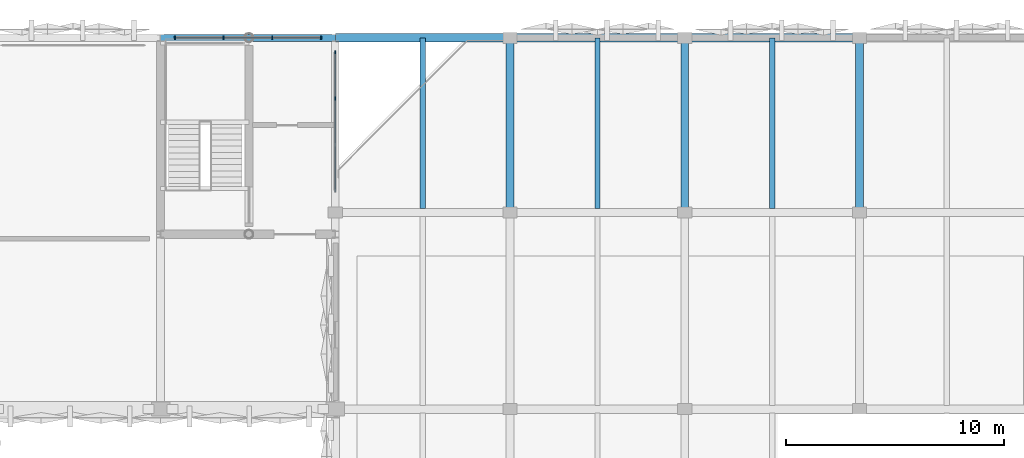
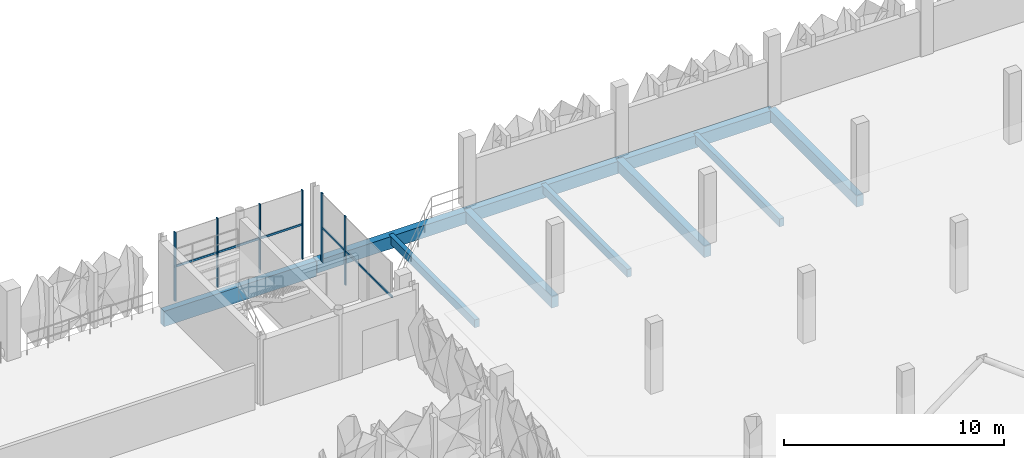
# One storey, part 29 of 76: 10 beams, 8 members, 2 elements without a shape of their own.
"""IFC4 building model written with IfcOpenShell, lengths in metres."""

from ifc_helpers import new_model, si_unit, derived_unit, direction, frame, origin, origin_2d, place, context, subcontext, project, spatial, rectangle, extrude, material, layer, layer_set, material_profile, profile_set, type_object, element, aggregate, save


model = new_model("IFC4")

# Units and contexts
model_context = context("Model", 3, precision=1e-05, world=origin(), true_north=direction((0.0, 1.0)))
body_context = subcontext(model_context, "Body", "Model", "MODEL_VIEW")
ifc_project = project(units=[si_unit("LENGTHUNIT", "METRE"), si_unit("AREAUNIT", "SQUARE_METRE"), si_unit("VOLUMEUNIT", "CUBIC_METRE"), si_unit("PLANEANGLEUNIT", "RADIAN"), si_unit("MASSUNIT", "GRAM", prefix="KILO"), si_unit("THERMODYNAMICTEMPERATUREUNIT", "KELVIN"), derived_unit("THERMALTRANSMITTANCEUNIT", [(si_unit("POWERUNIT", "WATT"), 1), (si_unit("AREAUNIT", "SQUARE_METRE"), -1), (si_unit("THERMODYNAMICTEMPERATUREUNIT", "KELVIN"), -1)])], contexts=[model_context])

# Site, building, storey
site_placement = place(None, origin())
site = spatial("IfcSite", under=ifc_project, at=site_placement, CompositionType="ELEMENT")
building_placement = place(site_placement, origin())
building = spatial("IfcBuilding", under=site, at=building_placement, Name="Haiyu Intermodal Mobility Hub", CompositionType="ELEMENT")
storey_placement = place(building_placement, frame((0.0, 0.0, 17.300048828125)))
storey = spatial("IfcBuildingStorey", under=building, at=storey_placement, Name="L04", CompositionType="ELEMENT", Elevation=17.300048828125)

# Beams
ifc_material_1 = material(Name="Concrete C40", Category="concrete")
ifc_material_profile_1 = material_profile(ifc_material_1, rectangle(XDim=0.3798828125, YDim=0.679931640625, at=origin_2d()), Name="B380x680")
ifc_profile_set_1 = profile_set([ifc_material_profile_1], Name="Concrete C40")
beam_type_1 = type_object("IfcBeamType", Name="BM-CB15-EXT", PredefinedType="BEAM", material=ifc_profile_set_1)
for number, where, z_axis, x_axis, name in (
    (1, (162.0, 148.0, -0.60009765625), (1.0, 0.0, 0.0), (0.0, 1.0, 0.0), "BM-V6G-L04-049"),
    (2, (170.0, 148.0, -0.60009765625), (1.0, 0.0, 0.0), (0.0, 1.0, 0.0), "BM-V6G-L04-050"),
    (3, (178.0, 148.0, -0.60009765625), (1.0, 0.0, 0.0), (0.0, 1.0, 0.0), "BM-V6G-L04-051"),
):
    element("IfcBeam", number, at=place(storey_placement, frame(where, z_axis=z_axis, x_axis=x_axis)), inside=storey, type_object=beam_type_1, Name=name, PredefinedType="BEAM", context=body_context, shape_type="SweptSolid", body=[
        extrude(rectangle(XDim=0.3798828125, YDim=0.679931640625, at=origin_2d()), origin(), (0.0, 0.0, 1.0), 8.0),
    ])
ifc_material_profile_2 = material_profile(ifc_material_1, rectangle(XDim=0.360107421875, YDim=0.6201171875, at=origin_2d()), Name="B360x620")
ifc_profile_set_2 = profile_set([ifc_material_profile_2], Name="Concrete C40")
beam_type_2 = type_object("IfcBeamType", Name="BM-CB16", PredefinedType="BEAM", material=ifc_profile_set_2)
for number, where, z_axis, x_axis, name in (
    (4, (170.0, 140.0, -0.570068359375), (0.0, 1.0, 0.0), (-1.0, 0.0, 0.0), "BM-V6T-L04-016"),
    (5, (178.0, 140.0, -0.570068359375), (0.0, 1.0, 0.0), (-1.0, 0.0, 0.0), "BM-V6T-L04-024"),
    (6, (186.0, 140.0, -0.570068359375), (0.0, 1.0, 0.0), (-1.0, 0.0, 0.0), "BM-V6T-L04-032"),
):
    element("IfcBeam", number, at=place(storey_placement, frame(where, z_axis=z_axis, x_axis=x_axis)), inside=storey, type_object=beam_type_2, Name=name, PredefinedType="BEAM", context=body_context, shape_type="SweptSolid", body=[
        extrude(rectangle(XDim=0.360107421875, YDim=0.6201171875, at=origin_2d()), origin(), (0.0, 0.0, 1.0), 8.0),
    ])
ifc_material_profile_3 = material_profile(ifc_material_1, rectangle(XDim=0.239990234375, YDim=0.43994140625, at=origin_2d()), Name="B240x440")
ifc_profile_set_3 = profile_set([ifc_material_profile_3], Name="Concrete C40")
beam_type_3 = type_object("IfcBeamType", Name="BM-CB19", PredefinedType="JOIST", material=ifc_profile_set_3)
for number, where, z_axis, x_axis, name in (
    (7, (166.0, 140.175048828125, -0.47998046875), (0.0, 1.0, 0.0), (-1.0, 0.0, 0.0), "BM-V6J-L04-008"),
    (8, (174.0, 140.175048828125, -0.47998046875), (0.0, 1.0, 0.0), (-1.0, 0.0, 0.0), "BM-V6J-L04-016"),
    (9, (182.0, 140.175048828125, -0.47998046875), (0.0, 1.0, 0.0), (-1.0, 0.0, 0.0), "BM-V6J-L04-022"),
):
    element("IfcBeam", number, at=place(storey_placement, frame(where, z_axis=z_axis, x_axis=x_axis)), inside=storey, type_object=beam_type_3, Name=name, PredefinedType="JOIST", context=body_context, shape_type="SweptSolid", body=[
        extrude(rectangle(XDim=0.239990234375, YDim=0.43994140625, at=origin_2d()), origin(), (0.0, 0.0, 1.0), 7.824951171875),
    ])
ifc_material_2 = material(Name="Precast concrete C40", Category="concrete")
ifc_material_profile_4 = material_profile(ifc_material_2, rectangle(XDim=0.320068359375, YDim=0.85009765625, at=origin_2d()), Name="PC320x850")
ifc_profile_set_4 = profile_set([ifc_material_profile_4], Name="Precast concrete C40")
beam_type_4 = type_object("IfcBeamType", Name="BM-SP02", PredefinedType="SPANDREL", material=ifc_profile_set_4)
beam_placement = place(storey_placement, frame((154.0, 148.0, -0.699951171875), z_axis=(1.0, 0.0, 0.0), x_axis=(0.0, 1.0, 0.0)))
element("IfcBeam", 10, at=beam_placement, inside=storey, type_object=beam_type_4, Name="BM-V4G-L04-056", PredefinedType="SPANDREL", context=body_context, shape_type="SweptSolid", body=[
    extrude(rectangle(XDim=0.320068359375, YDim=0.85009765625, at=origin_2d()), origin(), (0.0, 0.0, 1.0), 8.0),
])

# Curtain wall, members
ifc_material_3 = material(Name="Low-e laminated insulating glass", Category="glass")
ifc_layer = layer(ifc_material_3, 0.199951171875)
ifc_layer_set = layer_set([ifc_layer], Name="Low-e laminated insulating glass")
curtain_wall_type = type_object("IfcCurtainWallType", Name="CW-CW03", PredefinedType="NOTDEFINED", material=ifc_layer_set)
curtain_wall_1_placement = place(storey_placement, origin())
curtain_wall_1 = element("IfcCurtainWall", 11, at=curtain_wall_1_placement, inside=storey, type_object=curtain_wall_type, Name="Curtain Wall CW-C4N-L04-071", PredefinedType="NOTDEFINED")
ifc_material_4 = material(Name="Anodised aluminium 6063-T6", Category="aluminium")
ifc_material_profile_5 = material_profile(ifc_material_4, rectangle(XDim=0.06005859375, YDim=0.14501953125, at=origin_2d()), Name="ALU60x145")
ifc_profile_set_5 = profile_set([ifc_material_profile_5], Name="Anodised aluminium 6063-T6")
member_type_1 = type_object("IfcMemberType", Name="CWM-ML03", PredefinedType="MULLION", material=ifc_profile_set_5)
member_1_placement = place(storey_placement, frame((161.340087890625, 148.0, 0.0), z_axis=(0.0, 0.0, 1.0), x_axis=(1.0, 0.0, 0.0)))
member_1 = element("IfcMember", 12, at=member_1_placement, type_object=member_type_1, Name="CW-C4N-L04-071-ML01", PredefinedType="MULLION", context=body_context, shape_type="SweptSolid", body=[
    extrude(rectangle(XDim=0.06005859375, YDim=0.14501953125, at=origin_2d()), origin(), (0.0, 0.0, 1.0), 3.820068359375),
])
member_2_placement = place(storey_placement, frame((159.113037109375, 148.0, 0.0), z_axis=(0.0, 0.0, 1.0), x_axis=(1.0, 0.0, 0.0)))
member_2 = element("IfcMember", 13, at=member_2_placement, type_object=member_type_1, Name="CW-C4N-L04-071-ML02", PredefinedType="MULLION", context=body_context, shape_type="SweptSolid", body=[
    extrude(rectangle(XDim=0.06005859375, YDim=0.14501953125, at=origin_2d()), origin(), (0.0, 0.0, 1.0), 3.820068359375),
])
member_3_placement = place(storey_placement, frame((156.886962890625, 148.0, 0.0), z_axis=(0.0, 0.0, 1.0), x_axis=(1.0, 0.0, 0.0)))
member_3 = element("IfcMember", 14, at=member_3_placement, type_object=member_type_1, Name="CW-C4N-L04-071-ML03", PredefinedType="MULLION", context=body_context, shape_type="SweptSolid", body=[
    extrude(rectangle(XDim=0.06005859375, YDim=0.14501953125, at=origin_2d()), origin(), (0.0, 0.0, 1.0), 3.820068359375),
])
member_4_placement = place(storey_placement, frame((154.659912109375, 148.0, 0.0), z_axis=(0.0, 0.0, 1.0), x_axis=(1.0, 0.0, 0.0)))
member_4 = element("IfcMember", 15, at=member_4_placement, type_object=member_type_1, Name="CW-C4N-L04-071-ML04", PredefinedType="MULLION", context=body_context, shape_type="SweptSolid", body=[
    extrude(rectangle(XDim=0.06005859375, YDim=0.14501953125, at=origin_2d()), origin(), (0.0, 0.0, 1.0), 3.820068359375),
])

curtain_wall_2_placement = place(storey_placement, origin())
curtain_wall_2 = element("IfcCurtainWall", 16, at=curtain_wall_2_placement, inside=storey, type_object=curtain_wall_type, Name="Curtain Wall CW-C4S-L04-072", PredefinedType="NOTDEFINED")
member_5_placement = place(storey_placement, frame((162.0, 145.222900390625, 0.0), z_axis=(0.0, 0.0, 1.0), x_axis=(1.0, 0.0, 0.0)))
member_5 = element("IfcMember", 17, at=member_5_placement, type_object=member_type_1, Name="CW-C4S-L04-072-ML03", PredefinedType="MULLION", context=body_context, shape_type="SweptSolid", body=[
    extrude(rectangle(XDim=0.06005859375, YDim=0.14501953125, at=origin_2d()), origin(), (0.0, 0.0, 1.0), 3.820068359375),
])
member_6_placement = place(storey_placement, frame((162.0, 147.340087890625, 0.0), z_axis=(0.0, 0.0, 1.0), x_axis=(1.0, 0.0, 0.0)))
member_6 = element("IfcMember", 18, at=member_6_placement, type_object=member_type_1, Name="CW-C4S-L04-072-ML04", PredefinedType="MULLION", context=body_context, shape_type="SweptSolid", body=[
    extrude(rectangle(XDim=0.06005859375, YDim=0.14501953125, at=origin_2d()), origin(), (0.0, 0.0, 1.0), 3.820068359375),
])

# Member
ifc_material_profile_6 = material_profile(ifc_material_4, rectangle(XDim=0.06005859375, YDim=0.114990234375, at=origin_2d()), Name="ALU60x115")
ifc_profile_set_6 = profile_set([ifc_material_profile_6], Name="Anodised aluminium 6063-T6")
member_type_2 = type_object("IfcMemberType", Name="CWM-TR03", PredefinedType="USERDEFINED", material=ifc_profile_set_6)
member_7_placement = place(storey_placement, frame((161.3798828125, 148.0, 1.909912109375), z_axis=(-1.0, 0.0, 0.0), x_axis=(0.0, -1.0, 0.0)))
member_7 = element("IfcMember", 19, at=member_7_placement, type_object=member_type_2, Name="CW-C4N-L04-071-TR01", ObjectType="TRANSOM", PredefinedType="USERDEFINED", context=body_context, shape_type="SweptSolid", body=[
    extrude(rectangle(XDim=0.06005859375, YDim=0.114990234375, at=origin_2d()), origin(), (0.0, 0.0, 1.0), 6.759765625),
])

aggregate(curtain_wall_1, [member_1, member_2, member_3, member_4, member_7])

member_8_placement = place(storey_placement, frame((162.0, 140.949951171875, 1.909912109375), z_axis=(0.0, 1.0, 0.0), x_axis=(-1.0, 0.0, 0.0)))
member_8 = element("IfcMember", 20, at=member_8_placement, type_object=member_type_2, Name="CW-C4S-L04-072-TR01", ObjectType="TRANSOM", PredefinedType="USERDEFINED", context=body_context, shape_type="SweptSolid", body=[
    extrude(rectangle(XDim=0.06005859375, YDim=0.114990234375, at=origin_2d()), origin(), (0.0, 0.0, 1.0), 6.429931640625),
])

aggregate(curtain_wall_2, [member_5, member_6, member_8])

save(model, "model.ifc")
